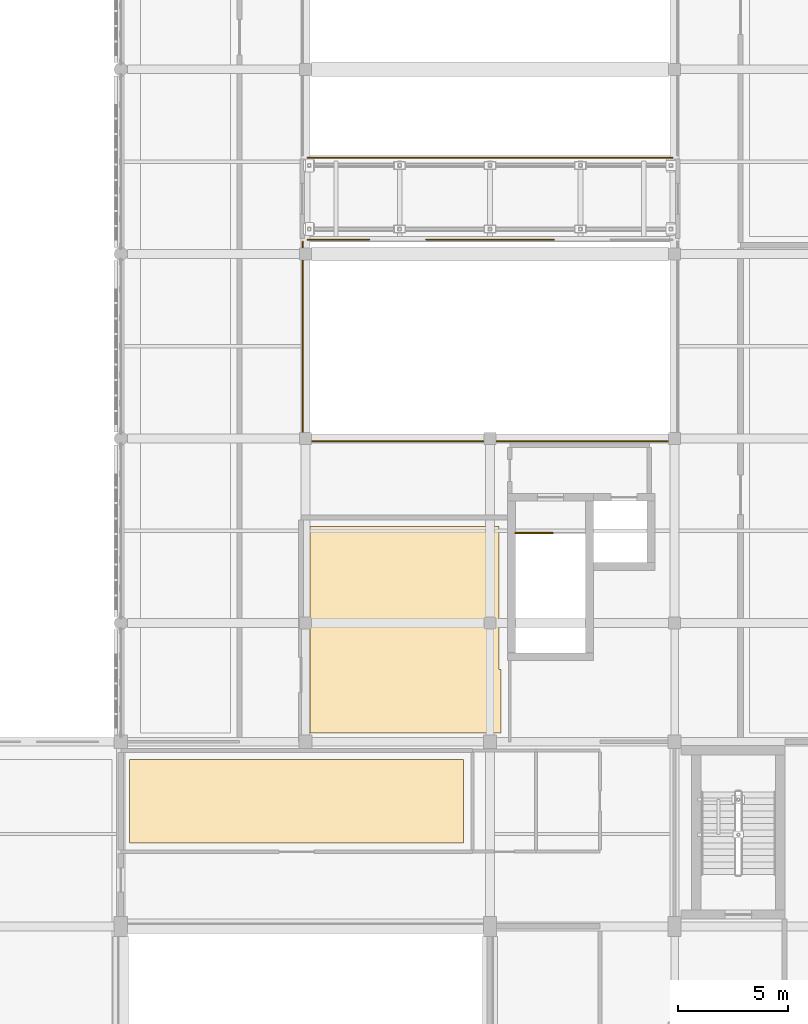
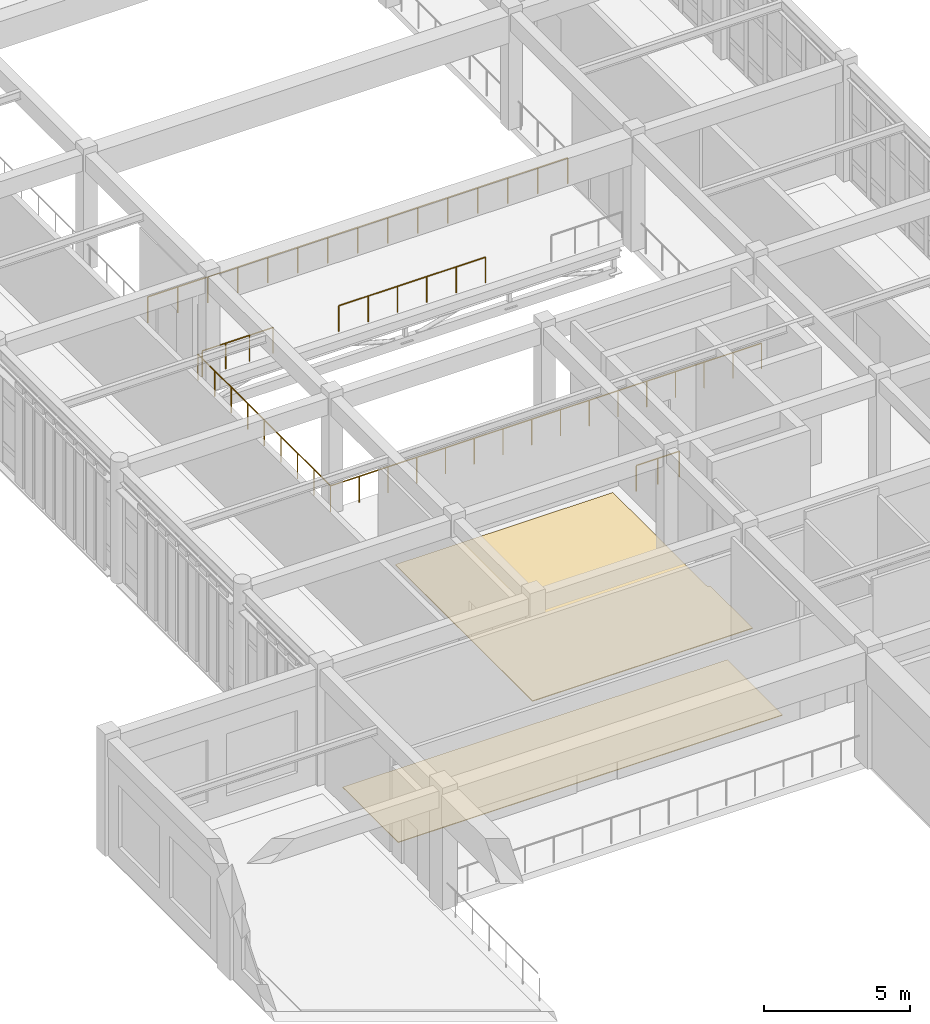
# One storey, part 72 of 77: 6 railings, 2 coverings.
"""IFC4 building model written with IfcOpenShell, lengths in metres."""

from ifc_helpers import new_model, si_unit, direction, frame, origin, origin_2d, place, context, subcontext, project, spatial, polyline, circle, outline, extrude, material, layer, layer_set, type_object, element, save


model = new_model("IFC4")

# Units and contexts
model_context = context("Model", 3, precision=1e-05, world=origin(), true_north=direction((0.0, 1.0)))
body_context = subcontext(model_context, "Body", "Model", "MODEL_VIEW")
ifc_project = project(units=[si_unit("LENGTHUNIT", "METRE"), si_unit("AREAUNIT", "SQUARE_METRE"), si_unit("VOLUMEUNIT", "CUBIC_METRE"), si_unit("PLANEANGLEUNIT", "RADIAN"), si_unit("MASSUNIT", "GRAM", prefix="KILO")], contexts=[model_context])

# Site, building, storey
site_placement = place(None, origin())
site = spatial("IfcSite", under=ifc_project, at=site_placement, CompositionType="ELEMENT")
building_placement = place(site_placement, origin())
building = spatial("IfcBuilding", under=site, at=building_placement, Name="Krzemoval Escarpment Law Courts", CompositionType="ELEMENT")
storey_placement = place(building_placement, frame((0.0, 0.0, 15.300048828125)))
storey = spatial("IfcBuildingStorey", under=building, at=storey_placement, Name="L03", CompositionType="ELEMENT", Elevation=15.300048828125)

# Coverings
ifc_material_1 = material(Name="Honed Silesian Granite Stone Flooring", Category="masonry")
ifc_layer = layer(ifc_material_1, 0.030029296875)
ifc_layer_set = layer_set([ifc_layer], Name="Honed Silesian Granite Stone Flooring")
covering_type = type_object("IfcCoveringType", Name="COV-FLR-STN30", PredefinedType="FLOORING", material=ifc_layer_set)
covering_1_placement = place(storey_placement, origin())
element("IfcCovering", 1, at=covering_1_placement, inside=storey, type_object=covering_type, Name="Stone Floor Finish FLR-L03-33", PredefinedType="FLOORING", context=body_context, shape_type="SweptSolid", body=[
    extrude(outline(polyline([(8.800048828125, 30.800048828125), (8.800048828125, 34.60009765625), (24.0, 34.60009765625), (24.0, 30.800048828125), (8.800048828125, 30.800048828125)])), origin(), (0.0, 0.0, 1.0), 0.030029296875),
])
covering_2_placement = place(storey_placement, origin())
element("IfcCovering", 2, at=covering_2_placement, inside=storey, type_object=covering_type, Name="Stone Floor Finish FLR-L03-38", PredefinedType="FLOORING", context=body_context, shape_type="SweptSolid", body=[
    extrude(outline(polyline([(25.699951171875, 35.800048828125), (17.0, 35.800048828125), (17.0, 45.199951171875), (25.60009765625, 45.199951171875), (25.60009765625, 38.699951171875), (25.699951171875, 38.699951171875), (25.699951171875, 35.800048828125)])), origin(), (0.0, 0.0, 1.0), 0.030029296875),
])

# Railings
ifc_material_2 = material(Name="Stainless Steel Grade 316L and Laminated Safety Glass Guard", Category="steel")
railing_type_1 = type_object("IfcRailingType", Name="RL-BAL-1100", PredefinedType="BALUSTRADE", material=ifc_material_2)
railing_1_placement = place(storey_placement, frame((16.679931640625, 49.080078125, 0.0)))
element("IfcRailing", 3, at=railing_1_placement, inside=storey, type_object=railing_type_1, Name="Atrium Void Balustrade VG-L03-080", PredefinedType="BALUSTRADE", context=body_context, shape_type="SweptSolid", body=[
    extrude(circle(Radius=0.02392578125, at=origin_2d()), frame((0.0, 0.0, 1.076171875), z_axis=(1.0, 0.0, 0.0), x_axis=(0.0, 1.0, 0.0)), (0.0, 0.0, 1.0), 17.0400390625),
    extrude(circle(Radius=0.02099609375, at=origin_2d()), origin(), (0.0, 0.0, 1.0), 1.052001953125),
    extrude(circle(Radius=0.02099609375, at=origin_2d()), frame((1.135986328125, 0.0, 0.0)), (0.0, 0.0, 1.0), 1.052001953125),
    extrude(circle(Radius=0.02099609375, at=origin_2d()), frame((2.27197265625, 0.0, 0.0)), (0.0, 0.0, 1.0), 1.052001953125),
    extrude(circle(Radius=0.02099609375, at=origin_2d()), frame((3.407958984375, 0.0, 0.0)), (0.0, 0.0, 1.0), 1.052001953125),
    extrude(circle(Radius=0.02099609375, at=origin_2d()), frame((4.5439453125, 0.0, 0.0)), (0.0, 0.0, 1.0), 1.052001953125),
    extrude(circle(Radius=0.02099609375, at=origin_2d()), frame((5.679931640625, 0.0, 0.0)), (0.0, 0.0, 1.0), 1.052001953125),
    extrude(circle(Radius=0.02099609375, at=origin_2d()), frame((6.81591796875, 0.0, 0.0)), (0.0, 0.0, 1.0), 1.052001953125),
    extrude(circle(Radius=0.02099609375, at=origin_2d()), frame((7.951904296875, 0.0, 0.0)), (0.0, 0.0, 1.0), 1.052001953125),
    extrude(circle(Radius=0.02099609375, at=origin_2d()), frame((9.088134765625, 0.0, 0.0)), (0.0, 0.0, 1.0), 1.052001953125),
    extrude(circle(Radius=0.02099609375, at=origin_2d()), frame((10.22412109375, 0.0, 0.0)), (0.0, 0.0, 1.0), 1.052001953125),
    extrude(circle(Radius=0.02099609375, at=origin_2d()), frame((11.360107421875, 0.0, 0.0)), (0.0, 0.0, 1.0), 1.052001953125),
    extrude(circle(Radius=0.02099609375, at=origin_2d()), frame((12.49609375, 0.0, 0.0)), (0.0, 0.0, 1.0), 1.052001953125),
    extrude(circle(Radius=0.02099609375, at=origin_2d()), frame((13.632080078125, 0.0, 0.0)), (0.0, 0.0, 1.0), 1.052001953125),
    extrude(circle(Radius=0.02099609375, at=origin_2d()), frame((14.76806640625, 0.0, 0.0)), (0.0, 0.0, 1.0), 1.052001953125),
    extrude(circle(Radius=0.02099609375, at=origin_2d()), frame((15.904052734375, 0.0, 0.0)), (0.0, 0.0, 1.0), 1.052001953125),
    extrude(circle(Radius=0.02099609375, at=origin_2d()), frame((17.0400390625, 0.0, 0.0)), (0.0, 0.0, 1.0), 1.052001953125),
])
railing_2_placement = place(storey_placement, frame((16.679931640625, 49.080078125, 0.0)))
element("IfcRailing", 4, at=railing_2_placement, inside=storey, type_object=railing_type_1, Name="Atrium Void Balustrade VG-L03-084", PredefinedType="BALUSTRADE", context=body_context, shape_type="SweptSolid", body=[
    extrude(circle(Radius=0.02392578125, at=origin_2d()), frame((0.0, 0.0, 1.076171875), z_axis=(0.0, 1.0, 0.0), x_axis=(-1.0, 0.0, 0.0)), (0.0, 0.0, 1.0), 9.06982421875),
    extrude(circle(Radius=0.02099609375, at=origin_2d()), origin(), (0.0, 0.0, 1.0), 1.052001953125),
    extrude(circle(Radius=0.02099609375, at=origin_2d()), frame((0.0, 1.1337890625, 0.0)), (0.0, 0.0, 1.0), 1.052001953125),
    extrude(circle(Radius=0.02099609375, at=origin_2d()), frame((0.0, 2.267578125, 0.0)), (0.0, 0.0, 1.0), 1.052001953125),
    extrude(circle(Radius=0.02099609375, at=origin_2d()), frame((0.0, 3.401123046875, 0.0)), (0.0, 0.0, 1.0), 1.052001953125),
    extrude(circle(Radius=0.02099609375, at=origin_2d()), frame((0.0, 4.534912109375, 0.0)), (0.0, 0.0, 1.0), 1.052001953125),
    extrude(circle(Radius=0.02099609375, at=origin_2d()), frame((0.0, 5.668701171875, 0.0)), (0.0, 0.0, 1.0), 1.052001953125),
    extrude(circle(Radius=0.02099609375, at=origin_2d()), frame((0.0, 6.80224609375, 0.0)), (0.0, 0.0, 1.0), 1.052001953125),
    extrude(circle(Radius=0.02099609375, at=origin_2d()), frame((0.0, 7.93603515625, 0.0)), (0.0, 0.0, 1.0), 1.052001953125),
    extrude(circle(Radius=0.02099609375, at=origin_2d()), frame((0.0, 9.06982421875, 0.0)), (0.0, 0.0, 1.0), 1.052001953125),
])
railing_3_placement = place(storey_placement, frame((16.89990234375, 58.25, 0.0)))
element("IfcRailing", 5, at=railing_3_placement, inside=storey, type_object=railing_type_1, Name="Sky-Bridge South Guardrail BG-L03-102", PredefinedType="BALUSTRADE", context=body_context, shape_type="SweptSolid", body=[
    extrude(circle(Radius=0.02392578125, at=origin_2d()), frame((0.0, 0.0, 1.076171875), z_axis=(1.0, 0.0, 0.0), x_axis=(0.0, 1.0, 0.0)), (0.0, 0.0, 1.0), 2.800048828125),
    extrude(circle(Radius=0.02099609375, at=origin_2d()), origin(), (0.0, 0.0, 1.0), 1.052001953125),
    extrude(circle(Radius=0.02099609375, at=origin_2d()), frame((0.933349609375, 0.0, 0.0)), (0.0, 0.0, 1.0), 1.052001953125),
    extrude(circle(Radius=0.02099609375, at=origin_2d()), frame((1.86669921875, 0.0, 0.0)), (0.0, 0.0, 1.0), 1.052001953125),
    extrude(circle(Radius=0.02099609375, at=origin_2d()), frame((2.800048828125, 0.0, 0.0)), (0.0, 0.0, 1.0), 1.052001953125),
])
railing_4_placement = place(storey_placement, frame((22.300048828125, 58.25, 0.0)))
element("IfcRailing", 6, at=railing_4_placement, inside=storey, type_object=railing_type_1, Name="Sky-Bridge South Guardrail BG-L03-103", PredefinedType="BALUSTRADE", context=body_context, shape_type="SweptSolid", body=[
    extrude(circle(Radius=0.02392578125, at=origin_2d()), frame((0.0, 0.0, 1.076171875), z_axis=(1.0, 0.0, 0.0), x_axis=(0.0, 1.0, 0.0)), (0.0, 0.0, 1.0), 5.800048828125),
    extrude(circle(Radius=0.02099609375, at=origin_2d()), origin(), (0.0, 0.0, 1.0), 1.052001953125),
    extrude(circle(Radius=0.02099609375, at=origin_2d()), frame((1.159912109375, 0.0, 0.0)), (0.0, 0.0, 1.0), 1.052001953125),
    extrude(circle(Radius=0.02099609375, at=origin_2d()), frame((2.320068359375, 0.0, 0.0)), (0.0, 0.0, 1.0), 1.052001953125),
    extrude(circle(Radius=0.02099609375, at=origin_2d()), frame((3.47998046875, 0.0, 0.0)), (0.0, 0.0, 1.0), 1.052001953125),
    extrude(circle(Radius=0.02099609375, at=origin_2d()), frame((4.64013671875, 0.0, 0.0)), (0.0, 0.0, 1.0), 1.052001953125),
    extrude(circle(Radius=0.02099609375, at=origin_2d()), frame((5.800048828125, 0.0, 0.0)), (0.0, 0.0, 1.0), 1.052001953125),
])
railing_5_placement = place(storey_placement, frame((16.89990234375, 61.97998046875, 0.0)))
element("IfcRailing", 7, at=railing_5_placement, inside=storey, type_object=railing_type_1, Name="Sky-Bridge North Guardrail BG-L03-105", PredefinedType="BALUSTRADE", context=body_context, shape_type="SweptSolid", body=[
    extrude(circle(Radius=0.02392578125, at=origin_2d()), frame((0.0, 0.0, 1.076171875), z_axis=(1.0, 0.0, 0.0), x_axis=(0.0, 1.0, 0.0)), (0.0, 0.0, 1.0), 16.60009765625),
    extrude(circle(Radius=0.02099609375, at=origin_2d()), origin(), (0.0, 0.0, 1.0), 1.052001953125),
    extrude(circle(Radius=0.02099609375, at=origin_2d()), frame((1.185791015625, 0.0, 0.0)), (0.0, 0.0, 1.0), 1.052001953125),
    extrude(circle(Radius=0.02099609375, at=origin_2d()), frame((2.371337890625, 0.0, 0.0)), (0.0, 0.0, 1.0), 1.052001953125),
    extrude(circle(Radius=0.02099609375, at=origin_2d()), frame((3.55712890625, 0.0, 0.0)), (0.0, 0.0, 1.0), 1.052001953125),
    extrude(circle(Radius=0.02099609375, at=origin_2d()), frame((4.742919921875, 0.0, 0.0)), (0.0, 0.0, 1.0), 1.052001953125),
    extrude(circle(Radius=0.02099609375, at=origin_2d()), frame((5.9287109375, 0.0, 0.0)), (0.0, 0.0, 1.0), 1.052001953125),
    extrude(circle(Radius=0.02099609375, at=origin_2d()), frame((7.1142578125, 0.0, 0.0)), (0.0, 0.0, 1.0), 1.052001953125),
    extrude(circle(Radius=0.02099609375, at=origin_2d()), frame((8.300048828125, 0.0, 0.0)), (0.0, 0.0, 1.0), 1.052001953125),
    extrude(circle(Radius=0.02099609375, at=origin_2d()), frame((9.48583984375, 0.0, 0.0)), (0.0, 0.0, 1.0), 1.052001953125),
    extrude(circle(Radius=0.02099609375, at=origin_2d()), frame((10.67138671875, 0.0, 0.0)), (0.0, 0.0, 1.0), 1.052001953125),
    extrude(circle(Radius=0.02099609375, at=origin_2d()), frame((11.857177734375, 0.0, 0.0)), (0.0, 0.0, 1.0), 1.052001953125),
    extrude(circle(Radius=0.02099609375, at=origin_2d()), frame((13.04296875, 0.0, 0.0)), (0.0, 0.0, 1.0), 1.052001953125),
    extrude(circle(Radius=0.02099609375, at=origin_2d()), frame((14.228759765625, 0.0, 0.0)), (0.0, 0.0, 1.0), 1.052001953125),
    extrude(circle(Radius=0.02099609375, at=origin_2d()), frame((15.414306640625, 0.0, 0.0)), (0.0, 0.0, 1.0), 1.052001953125),
    extrude(circle(Radius=0.02099609375, at=origin_2d()), frame((16.60009765625, 0.0, 0.0)), (0.0, 0.0, 1.0), 1.052001953125),
])
ifc_material_3 = material(Name="Galvanised Steel S355", Category="steel")
railing_type_2 = type_object("IfcRailingType", Name="RL-GRD-1100", PredefinedType="GUARDRAIL", material=ifc_material_3)
railing_6_placement = place(storey_placement, frame((26.35009765625, 44.89990234375, 0.0)))
element("IfcRailing", 8, at=railing_6_placement, inside=storey, type_object=railing_type_2, Name="L03 ST5 top well guard 1", PredefinedType="GUARDRAIL", context=body_context, shape_type="SweptSolid", body=[
    extrude(circle(Radius=0.02392578125, at=origin_2d()), frame((0.0, 0.0, 1.076171875), z_axis=(1.0, 0.0, 0.0), x_axis=(0.0, 1.0, 0.0)), (0.0, 0.0, 1.0), 1.699951171875),
    extrude(circle(Radius=0.02099609375, at=origin_2d()), origin(), (0.0, 0.0, 1.0), 1.052001953125),
    extrude(circle(Radius=0.02099609375, at=origin_2d()), frame((0.85009765625, 0.0, 0.0)), (0.0, 0.0, 1.0), 1.052001953125),
    extrude(circle(Radius=0.02099609375, at=origin_2d()), frame((1.699951171875, 0.0, 0.0)), (0.0, 0.0, 1.0), 1.052001953125),
])

save(model, "model.ifc")
